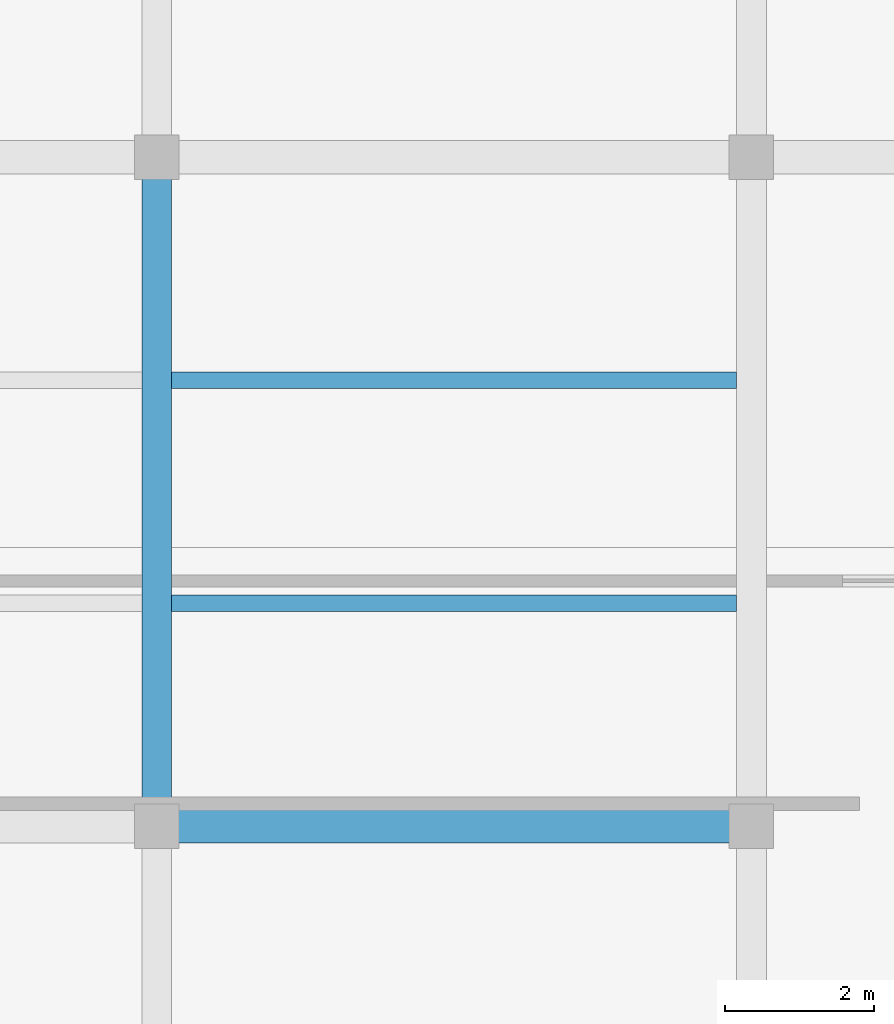
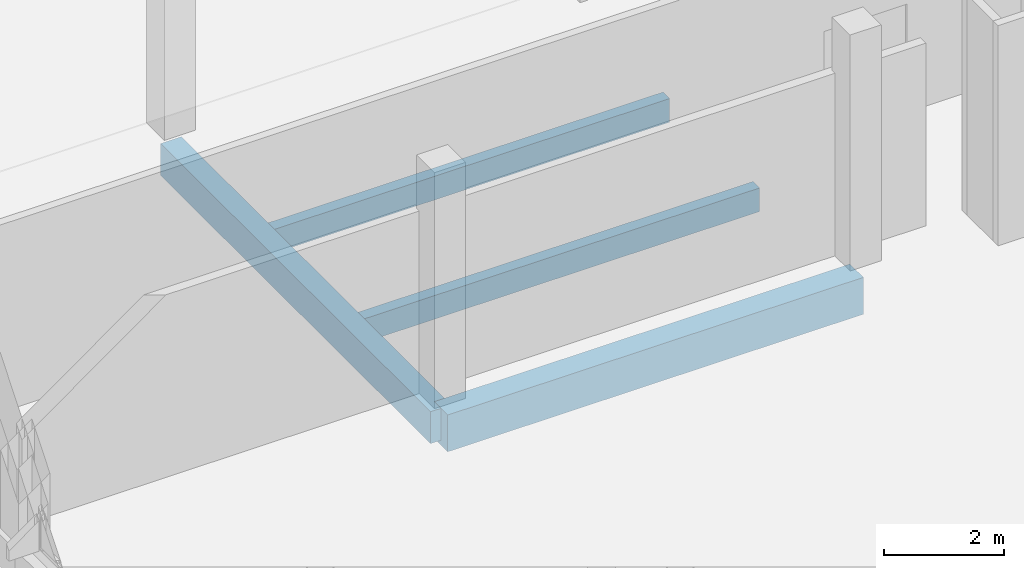
# One storey, part 76 of 177: 4 beams.
"""IFC4 building model written with IfcOpenShell, lengths in metres."""

from ifc_helpers import new_model, si_unit, direction, frame, origin, origin_2d, place, context, subcontext, project, spatial, rectangle, extrude, material, material_profile, profile_set, type_object, element, save


model = new_model("IFC4")

# Units and contexts
model_context = context("Model", 3, precision=1e-05, world=origin(), true_north=direction((0.0, 1.0)))
body_context = subcontext(model_context, "Body", "Model", "MODEL_VIEW")
ifc_project = project(units=[si_unit("LENGTHUNIT", "METRE"), si_unit("AREAUNIT", "SQUARE_METRE"), si_unit("VOLUMEUNIT", "CUBIC_METRE"), si_unit("PLANEANGLEUNIT", "RADIAN"), si_unit("MASSUNIT", "GRAM", prefix="KILO")], contexts=[model_context])

# Site, building, storey
site_placement = place(None, origin())
site = spatial("IfcSite", under=ifc_project, at=site_placement, CompositionType="ELEMENT")
building_placement = place(site_placement, origin())
building = spatial("IfcBuilding", under=site, at=building_placement, Name="Chiffa Square Polytechnic", CompositionType="ELEMENT")
storey_placement = place(building_placement, frame((0.0, 0.0, 4.800048828125)))
storey = spatial("IfcBuildingStorey", under=building, at=storey_placement, Name="L01", CompositionType="ELEMENT", Elevation=4.800048828125)

# Beams
ifc_material_1 = material(Name="Concrete C35/45", Category="concrete")
ifc_material_profile_1 = material_profile(ifc_material_1, rectangle(XDim=0.39990234375, YDim=0.64990234375, at=origin_2d()), Name="RC 400x650")
ifc_profile_set_1 = profile_set([ifc_material_profile_1], Name="Concrete C35/45")
beam_type_1 = type_object("IfcBeamType", Name="BM-RC-400X650", PredefinedType="BEAM", material=ifc_profile_set_1)
beam_1_placement = place(storey_placement, frame((8.0, 112.800048828125, -0.60498046875), z_axis=(0.0, 1.0, 0.0), x_axis=(-1.0, 0.0, 0.0)))
element("IfcBeam", 1, at=beam_1_placement, inside=storey, type_object=beam_type_1, Name="Primary floor girder BM-V5-L01-Y-0080-1128", PredefinedType="BEAM", context=body_context, shape_type="SweptSolid", body=[
    extrude(rectangle(XDim=0.39990234375, YDim=0.64990234375, at=origin_2d()), origin(), (0.0, 0.0, 1.0), 9.0),
])
ifc_material_profile_2 = material_profile(ifc_material_1, rectangle(XDim=0.449951171875, YDim=0.75, at=origin_2d()), Name="RC 450x750")
ifc_profile_set_2 = profile_set([ifc_material_profile_2], Name="Concrete C35/45")
beam_type_2 = type_object("IfcBeamType", Name="BM-RC-450X750", PredefinedType="BEAM", material=ifc_profile_set_2)
beam_2_placement = place(storey_placement, frame((8.0, 112.800048828125, -0.655029296875), z_axis=(1.0, 0.0, 0.0), x_axis=(0.0, 1.0, 0.0)))
element("IfcBeam", 2, at=beam_2_placement, inside=storey, type_object=beam_type_2, Name="Primary floor girder BM-V5-L01-X-0080-1128", PredefinedType="BEAM", context=body_context, shape_type="SweptSolid", body=[
    extrude(rectangle(XDim=0.449951171875, YDim=0.75, at=origin_2d()), origin(), (0.0, 0.0, 1.0), 8.0),
])
ifc_material_2 = material(Name="Glulam GL28h", Category="wood")
ifc_material_profile_3 = material_profile(ifc_material_2, rectangle(XDim=0.219970703125, YDim=0.47998046875, at=origin_2d()), Name="GL28h 220x480")
ifc_profile_set_3 = profile_set([ifc_material_profile_3], Name="Glulam GL28h")
beam_type_3 = type_object("IfcBeamType", Name="JST-GL-220X480", PredefinedType="JOIST", material=ifc_profile_set_3)
for number, where, z_axis, x_axis, name in (
    (3, (8.197998046875, 115.800048828125, -0.52001953125), (1.0, 0.0, 0.0), (0.0, 1.0, 0.0), "Secondary floor joist JST-V5-L01-0080-1158"),
    (4, (8.197998046875, 118.800048828125, -0.52001953125), (1.0, 0.0, 0.0), (0.0, 1.0, 0.0), "Secondary floor joist JST-V5-L01-0080-1188"),
):
    element("IfcBeam", number, at=place(storey_placement, frame(where, z_axis=z_axis, x_axis=x_axis)), inside=storey, type_object=beam_type_3, Name=name, PredefinedType="JOIST", context=body_context, shape_type="SweptSolid", body=[
        extrude(rectangle(XDim=0.219970703125, YDim=0.47998046875, at=origin_2d()), origin(), (0.0, 0.0, 1.0), 7.60400390625),
    ])

save(model, "model.ifc")
